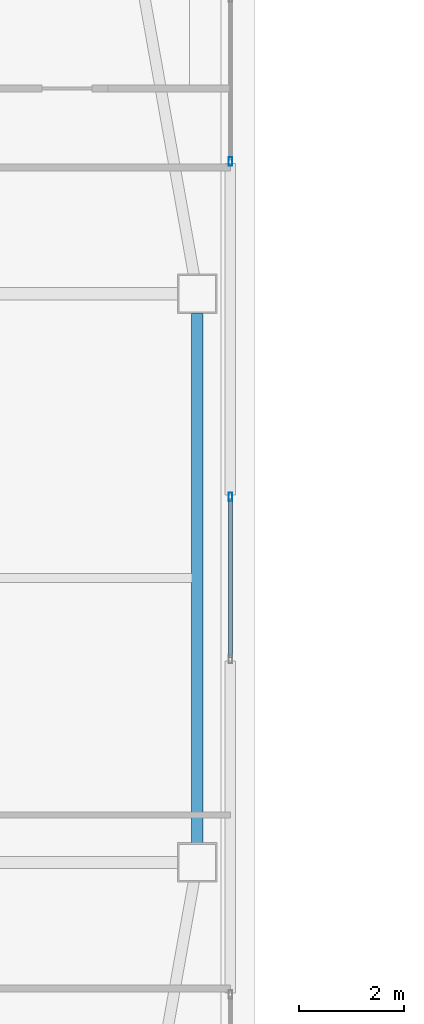
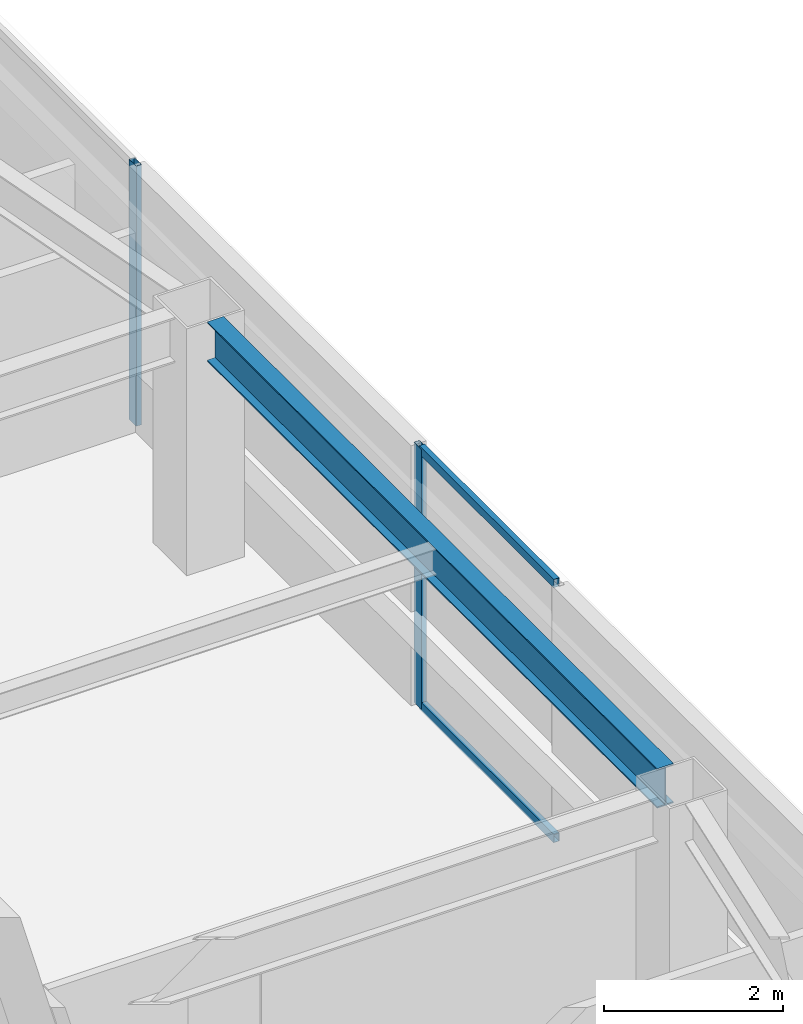
# One storey, part 13 of 44: 4 members, 1 beam, 2 elements without a shape of their own.
"""IFC4 building model written with IfcOpenShell, lengths in metres."""

from ifc_helpers import new_model, si_unit, direction, frame, origin, origin_2d, place, context, subcontext, project, spatial, hollow_rectangle, i_section, extrude, material, material_profile, profile_set, type_object, element, aggregate, save


model = new_model("IFC4")

# Units and contexts
model_context = context("Model", 3, precision=1e-05, world=origin(), true_north=direction((0.0, 1.0)))
body_context = subcontext(model_context, "Body", "Model", "MODEL_VIEW")
ifc_project = project(units=[si_unit("LENGTHUNIT", "METRE"), si_unit("AREAUNIT", "SQUARE_METRE"), si_unit("VOLUMEUNIT", "CUBIC_METRE"), si_unit("PLANEANGLEUNIT", "RADIAN"), si_unit("MASSUNIT", "GRAM", prefix="KILO")], contexts=[model_context])

# Site, building, storey
site_placement = place(None, origin())
site = spatial("IfcSite", under=ifc_project, at=site_placement, CompositionType="ELEMENT")
building_placement = place(site_placement, origin())
building = spatial("IfcBuilding", under=site, at=building_placement, Name="Tashvorn Skyway Center", CompositionType="ELEMENT")
storey_placement = place(building_placement, frame((0.0, 0.0, 211.300048828125)))
storey = spatial("IfcBuildingStorey", under=building, at=storey_placement, Name="L57", CompositionType="ELEMENT", Elevation=211.300048828125)

# Beam
ifc_material_1 = material(Name="Steel ASTM A992 Grade 50", Category="steel")
ifc_material_profile_1 = material_profile(ifc_material_1, i_section(OverallWidth=0.2109375, OverallDepth=0.5390625, WebThickness=0.01171875, FlangeThickness=0.018798828125, at=origin_2d()), Name="W21X73")
ifc_profile_set_1 = profile_set([ifc_material_profile_1], Name="Steel ASTM A992 Grade 50")
beam_type = type_object("IfcBeamType", Name="BM-SPANDREL-W21X73", PredefinedType="SPANDREL", material=ifc_profile_set_1)
beam_placement = place(storey_placement, frame((57.64990234375, 26.969970703125, 3.100341796875), z_axis=(0.0, 1.0, 0.0), x_axis=(-1.0, 0.0, 0.0)))
element("IfcBeam", 1, at=beam_placement, inside=storey, type_object=beam_type, Name="Tower 1 L57 Spandrel Beam 05", PredefinedType="SPANDREL", context=body_context, shape_type="SweptSolid", body=[
    extrude(i_section(OverallWidth=0.2109375, OverallDepth=0.5390625, WebThickness=0.01171875, FlangeThickness=0.018798828125, at=origin_2d()), origin(), (0.0, 0.0, 1.0), 10.06005859375),
])

# Curtain wall, member
ifc_material_2 = material(Name="Thermally broken bronze-anodized aluminium 6063-T6", Category="aluminium")
curtain_wall_type = type_object("IfcCurtainWallType", Name="CW-CW-Z5", PredefinedType="NOTDEFINED", material=ifc_material_2)
curtain_wall_1_placement = place(storey_placement, origin())
curtain_wall_1 = element("IfcCurtainWall", 2, at=curtain_wall_1_placement, inside=storey, type_object=curtain_wall_type, Name="Tower 1 L57 East Unitised Curtain Wall Glazing Group 1", PredefinedType="NOTDEFINED")
ifc_material_profile_2 = material_profile(ifc_material_2, hollow_rectangle(XDim=0.070068359375, YDim=0.1650390625, WallThickness=0.00390625, at=origin_2d()), Name="ALU-MULL-70x165")
ifc_profile_set_2 = profile_set([ifc_material_profile_2], Name="Thermally broken bronze-anodized aluminium 6063-T6")
member_type_1 = type_object("IfcMemberType", Name="CWM-CW-Z5", PredefinedType="MULLION", material=ifc_profile_set_2)
member_1_placement = place(storey_placement, frame((58.280029296875, 39.912841796875, 0.0), z_axis=(0.0, 0.0, 1.0), x_axis=(1.0, 0.0, 0.0)))
member_1 = element("IfcMember", 3, at=member_1_placement, type_object=member_type_1, Name="CW-Z5 mullion 3", PredefinedType="MULLION", context=body_context, shape_type="SweptSolid", body=[
    extrude(hollow_rectangle(XDim=0.070068359375, YDim=0.1650390625, WallThickness=0.00390625, at=origin_2d()), origin(), (0.0, 0.0, 1.0), 3.550048828125),
])
aggregate(curtain_wall_1, [member_1])

# Curtain wall, members
curtain_wall_2_placement = place(storey_placement, origin())
curtain_wall_2 = element("IfcCurtainWall", 4, at=curtain_wall_2_placement, inside=storey, type_object=curtain_wall_type, Name="Tower 1 L57 East Unitised Curtain Wall Glazing Group 2", PredefinedType="NOTDEFINED")
member_2_placement = place(storey_placement, frame((58.280029296875, 33.54052734375, 0.0), z_axis=(0.0, 0.0, 1.0), x_axis=(1.0, 0.0, 0.0)))
member_2 = element("IfcMember", 5, at=member_2_placement, type_object=member_type_1, Name="CW-Z5 mullion 1", PredefinedType="MULLION", context=body_context, shape_type="SweptSolid", body=[
    extrude(hollow_rectangle(XDim=0.070068359375, YDim=0.1650390625, WallThickness=0.00390625, at=origin_2d()), origin(), (0.0, 0.0, 1.0), 3.550048828125),
])
ifc_material_profile_3 = material_profile(ifc_material_2, hollow_rectangle(XDim=0.070068359375, YDim=0.114990234375, WallThickness=0.00390625, at=origin_2d()), Name="ALU-TRAN-70x115")
ifc_profile_set_3 = profile_set([ifc_material_profile_3], Name="Thermally broken bronze-anodized aluminium 6063-T6")
member_type_2 = type_object("IfcMemberType", Name="CWT-CW-Z5", PredefinedType="USERDEFINED", material=ifc_profile_set_3)
member_3_placement = place(storey_placement, frame((58.280029296875, 33.505615234375, 0.034912109375), z_axis=(0.0, -1.0, 0.0), x_axis=(1.0, 0.0, 0.0)))
member_3 = element("IfcMember", 6, at=member_3_placement, type_object=member_type_2, Name="CW-Z5 transom 1.1", ObjectType="TRANSOM", PredefinedType="USERDEFINED", context=body_context, shape_type="SweptSolid", body=[
    extrude(hollow_rectangle(XDim=0.070068359375, YDim=0.114990234375, WallThickness=0.00390625, at=origin_2d()), origin(), (0.0, 0.0, 1.0), 3.01123046875),
])
member_4_placement = place(storey_placement, frame((58.280029296875, 33.505615234375, 3.514892578125), z_axis=(0.0, -1.0, 0.0), x_axis=(1.0, 0.0, 0.0)))
member_4 = element("IfcMember", 7, at=member_4_placement, type_object=member_type_2, Name="CW-Z5 transom 1.2", ObjectType="TRANSOM", PredefinedType="USERDEFINED", context=body_context, shape_type="SweptSolid", body=[
    extrude(hollow_rectangle(XDim=0.070068359375, YDim=0.114990234375, WallThickness=0.00390625, at=origin_2d()), origin(), (0.0, 0.0, 1.0), 3.01123046875),
])
aggregate(curtain_wall_2, [member_2, member_3, member_4])

save(model, "model.ifc")
